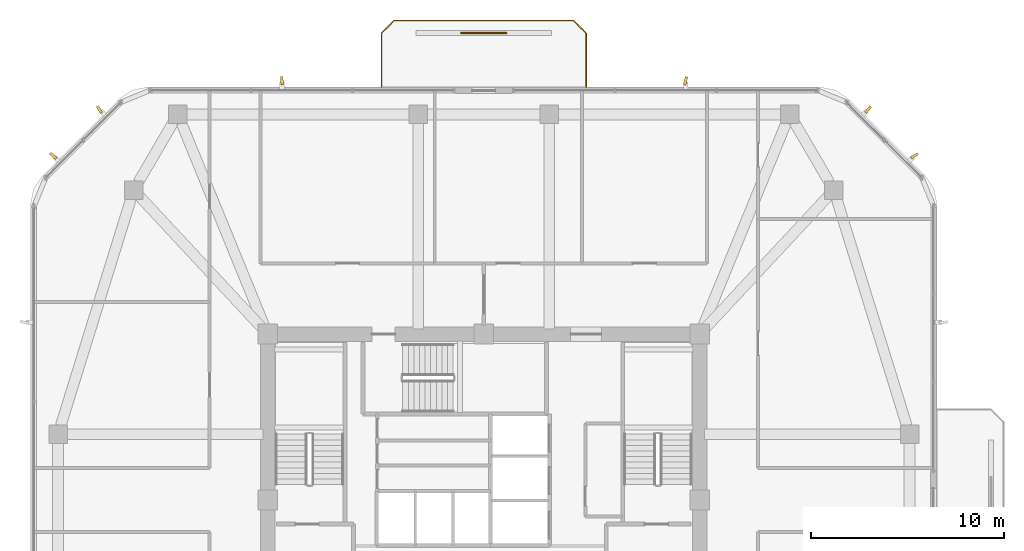
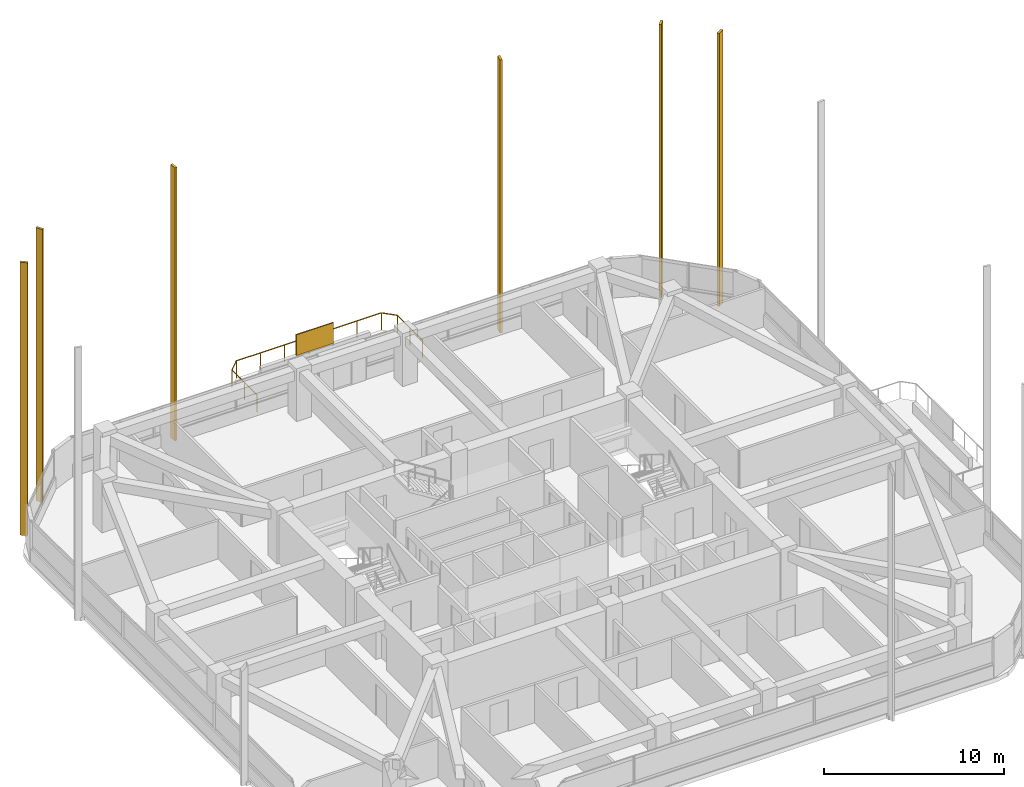
# One storey, part 14 of 14: 7 shading devices, 1 railing.
"""IFC4 building model written with IfcOpenShell, lengths in metres."""

from ifc_helpers import new_model, si_unit, derived_unit, direction, frame, origin, origin_2d, place, context, subcontext, project, spatial, rectangle, extrude, material, layer, layer_set, type_object, element, save


model = new_model("IFC4")

# Units and contexts
model_context = context("Model", 3, precision=1e-05, world=origin(), true_north=direction((0.0, 1.0)))
body_context = subcontext(model_context, "Body", "Model", "MODEL_VIEW")
ifc_project = project(units=[si_unit("LENGTHUNIT", "METRE"), si_unit("AREAUNIT", "SQUARE_METRE"), si_unit("VOLUMEUNIT", "CUBIC_METRE"), si_unit("PLANEANGLEUNIT", "RADIAN"), si_unit("MASSUNIT", "GRAM", prefix="KILO"), derived_unit("THERMALTRANSMITTANCEUNIT", [(si_unit("POWERUNIT", "WATT"), 1), (si_unit("LENGTHUNIT", "METRE"), -2), (si_unit("THERMODYNAMICTEMPERATUREUNIT", "KELVIN"), -1)])], contexts=[model_context])

# Site, building, storey
site_placement = place(None, origin())
site = spatial("IfcSite", under=ifc_project, at=site_placement, CompositionType="ELEMENT")
building_placement = place(site_placement, origin())
building = spatial("IfcBuilding", under=site, at=building_placement, Name="Koralith Skygarden Medical Center", CompositionType="ELEMENT")
storey_placement = place(building_placement, frame((0.0, 0.0, 174.419921875)))
storey = spatial("IfcBuildingStorey", under=building, at=storey_placement, Name="L45", CompositionType="ELEMENT", Elevation=174.419921875)

# Shading devices
ifc_material_1 = material(Name="Aluminium 6063-T6", Category="aluminium")
shading_device_type_1 = type_object("IfcShadingDeviceType", Name="Limestone-Clad Solar Storm Fin 420", PredefinedType="USERDEFINED", material=ifc_material_1)
for number, where, z_axis, x_axis, name in (
    (1, (59.31591796875, 43.73388671875, -0.19970703125), (0.0, 0.0, 1.0), (0.851672057797, 0.524075095733, 0.0), "L45 NE Harmonic Solar Storm Fin 1"),
    (2, (56.91796875, 46.132080078125, -0.19970703125), (0.0, 0.0, 1.0), (0.655228786036, 0.755430498425, 0.0), "L45 NE Harmonic Solar Storm Fin 2"),
    (3, (47.4599609375, 47.6298828125, -0.19970703125), (0.0, 0.0, 1.0), (0.231646033372, 0.972800141459, 0.0), "L45 N Harmonic Solar Storm Fin 1"),
    (4, (26.5400390625, 47.6298828125, -0.19970703125), (0.0, 0.0, 1.0), (-0.070853310317, 0.997486745986, 0.0), "L45 N Harmonic Solar Storm Fin 2"),
    (5, (17.08203125, 46.132080078125, -0.19970703125), (0.0, 0.0, 1.0), (-0.524075095733, 0.851672057797, 0.0), "L45 NW Harmonic Solar Storm Fin 1"),
    (6, (14.68408203125, 43.73388671875, -0.19970703125), (0.0, 0.0, 1.0), (-0.755430498425, 0.655228786036, 0.0), "L45 NW Harmonic Solar Storm Fin 2"),
):
    element("IfcShadingDevice", number, at=place(storey_placement, frame(where, z_axis=z_axis, x_axis=x_axis)), inside=storey, type_object=shading_device_type_1, Name=name, ObjectType="SOLAR FIN", PredefinedType="USERDEFINED", context=body_context, shape_type="SweptSolid", body=[
        extrude(rectangle(XDim=0.419921875, YDim=0.139892578125, at=origin_2d()), origin(), (0.0, 0.0, 1.0), 18.510009765625),
    ])

# Railing
ifc_material_2 = material(Name="Steel ASTM A500 Grade C", Category="steel")
railing_type = type_object("IfcRailingType", Name="Outdoor Terrace & Balcony Safety Guardrail 1180", PredefinedType="GUARDRAIL", material=ifc_material_2)
railing_placement = place(storey_placement, frame((42.300048828125, 47.300048828125, 0.0)))
element("IfcRailing", 7, at=railing_placement, inside=storey, type_object=railing_type, Name="L45 N Balcony Perimeter Guardrail", PredefinedType="GUARDRAIL", context=body_context, shape_type="SweptSolid", body=[
    extrude(rectangle(XDim=0.050048828125, YDim=0.050048828125, at=origin_2d()), frame((0.0, 0.001953125, 1.15478515625), z_axis=(0.0, 1.0, 0.0), x_axis=(-1.0, 0.0, 0.0)), (0.0, 0.0, 1.0), 2.796142578125),
    extrude(rectangle(XDim=0.050048828125, YDim=0.050048828125, at=origin_2d()), frame((-0.00146484375, 2.801513671875, 1.15478515625), z_axis=(-0.707239558722, 0.706973978714, 0.0), x_axis=(-0.706973978714, -0.707239558722, 0.0)), (0.0, 0.0, 1.0), 0.915283203125),
    extrude(rectangle(XDim=0.050048828125, YDim=0.050048828125, at=origin_2d()), frame((-0.652099609375, 3.449951171875, 1.15478515625), z_axis=(-1.0, 0.0, 0.0), x_axis=(0.0, -1.0, 0.0)), (0.0, 0.0, 1.0), 9.2958984375),
    extrude(rectangle(XDim=0.050048828125, YDim=0.050048828125, at=origin_2d()), frame((-9.951416015625, 3.448486328125, 1.15478515625), z_axis=(-0.707239558722, -0.706973978714, 0.0), x_axis=(0.706973978714, -0.707239558722, 0.0)), (0.0, 0.0, 1.0), 0.915283203125),
    extrude(rectangle(XDim=0.050048828125, YDim=0.050048828125, at=origin_2d()), frame((-10.60009765625, 2.798095703125, 1.15478515625), z_axis=(0.0, -1.0, 0.0), x_axis=(1.0, 0.0, 0.0)), (0.0, 0.0, 1.0), 2.796142578125),
    extrude(rectangle(XDim=0.0419921875, YDim=0.0419921875, at=origin_2d()), origin(), (0.0, 0.0, 1.0), 1.1279296875),
    extrude(rectangle(XDim=0.0419921875, YDim=0.0419921875, at=origin_2d()), frame((0.0, 1.39990234375, 0.0)), (0.0, 0.0, 1.0), 1.1279296875),
    extrude(rectangle(XDim=0.0419921875, YDim=0.0419921875, at=origin_2d()), frame((0.0, 2.800048828125, 0.0)), (0.0, 0.0, 1.0), 1.1279296875),
    extrude(rectangle(XDim=0.0419921875, YDim=0.0419921875, at=origin_2d()), frame((-0.650146484375, 3.449951171875, 0.0)), (0.0, 0.0, 1.0), 1.1279296875),
    extrude(rectangle(XDim=0.0419921875, YDim=0.0419921875, at=origin_2d()), frame((-2.2001953125, 3.449951171875, 0.0)), (0.0, 0.0, 1.0), 1.1279296875),
    extrude(rectangle(XDim=0.0419921875, YDim=0.0419921875, at=origin_2d()), frame((-3.75, 3.449951171875, 0.0)), (0.0, 0.0, 1.0), 1.1279296875),
    extrude(rectangle(XDim=0.0419921875, YDim=0.0419921875, at=origin_2d()), frame((-5.300048828125, 3.449951171875, 0.0)), (0.0, 0.0, 1.0), 1.1279296875),
    extrude(rectangle(XDim=0.0419921875, YDim=0.0419921875, at=origin_2d()), frame((-6.85009765625, 3.449951171875, 0.0)), (0.0, 0.0, 1.0), 1.1279296875),
    extrude(rectangle(XDim=0.0419921875, YDim=0.0419921875, at=origin_2d()), frame((-8.39990234375, 3.449951171875, 0.0)), (0.0, 0.0, 1.0), 1.1279296875),
    extrude(rectangle(XDim=0.0419921875, YDim=0.0419921875, at=origin_2d()), frame((-9.949951171875, 3.449951171875, 0.0)), (0.0, 0.0, 1.0), 1.1279296875),
    extrude(rectangle(XDim=0.0419921875, YDim=0.0419921875, at=origin_2d()), frame((-10.60009765625, 2.800048828125, 0.0)), (0.0, 0.0, 1.0), 1.1279296875),
    extrude(rectangle(XDim=0.0419921875, YDim=0.0419921875, at=origin_2d()), frame((-10.60009765625, 1.39990234375, 0.0)), (0.0, 0.0, 1.0), 1.1279296875),
    extrude(rectangle(XDim=0.0419921875, YDim=0.0419921875, at=origin_2d()), frame((-10.60009765625, 0.0, 0.0)), (0.0, 0.0, 1.0), 1.1279296875),
])

# Shading device
ifc_layer = layer(ifc_material_1, 0.080078125)
ifc_layer_set = layer_set([ifc_layer], Name="Aluminium 6063-T6")
shading_device_type_2 = type_object("IfcShadingDeviceType", Name="Perforated Biophilic Balcony Trellis Screen", PredefinedType="USERDEFINED", material=ifc_layer_set)
shading_device_placement = place(storey_placement, frame((37.0, 50.10009765625, 0.72021484375), z_axis=(0.0, 0.0, 1.0), x_axis=(1.0, 0.0, 0.0)))
element("IfcShadingDevice", 8, at=shading_device_placement, inside=storey, type_object=shading_device_type_2, Name="L45 N Biophilic Balcony Trellis Screen", ObjectType="HURRICANE SCREEN", PredefinedType="USERDEFINED", context=body_context, shape_type="SweptSolid", body=[
    extrude(rectangle(XDim=2.39990234375, YDim=0.080078125, at=origin_2d()), origin(), (0.0, 0.0, 1.0), 1.39990234375),
])

save(model, "model.ifc")
